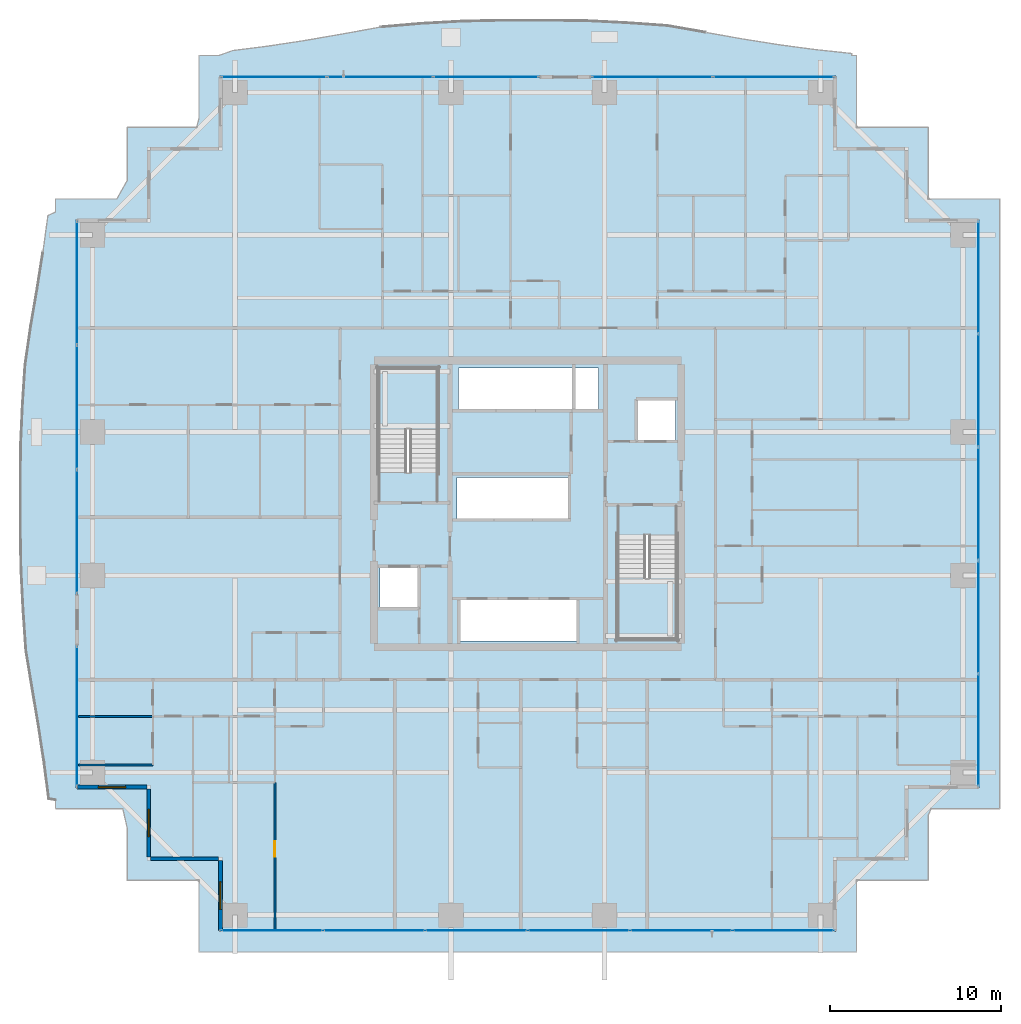
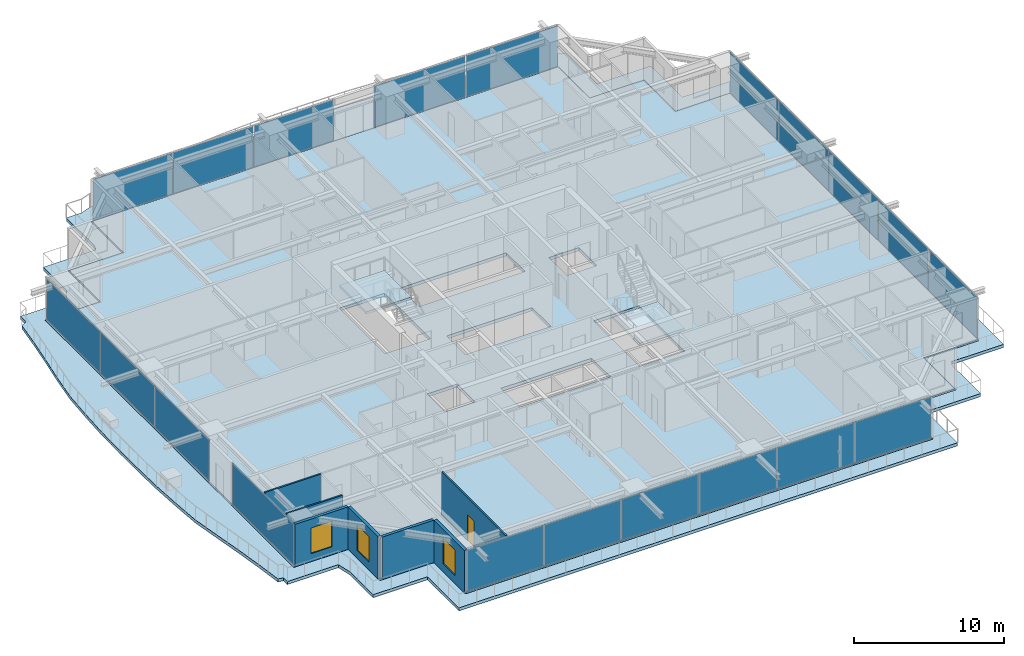
# One storey, part 22 of 36: 20 plates, 7 walls, 4 slabs, 3 windows, 1 door, 4 openings, 8 elements without a shape of their own.
"""IFC4 building model written with IfcOpenShell, lengths in metres."""

import ifcopenshell
import ifcopenshell.guid

model = None  # the IFC model being written
_history = None  # IfcOwnerHistory: only IFC2X3 demands one
_inside = {}  # id of a spatial element -> (the spatial element, [elements in it])
_under = {}  # id of a project, library or spatial element -> (it, [spatial elements below it])
_declared = {}  # id of a project -> (the project, [libraries it declares])
_typed = {}  # id of a type object -> (the type object, [elements of that type])
_made_of = {}  # id of a material, layer set ... -> (it, [elements and type objects made of it])


def new_model(schema):
    """Start an empty IFC model of exactly this schema.

    Asked for "IFC4X3", IfcOpenShell would pick the latest addendum, in which some entities
    have other attributes; the version numbers below select the first issue.
    IFC2X3 requires an IfcOwnerHistory on every rooted entity: one is made here for all.
    """
    global model, _history
    if schema == "IFC4X3":
        model = ifcopenshell.file(schema_version=(4, 3, 0, 0))
    else:
        model = ifcopenshell.file(schema=schema)
    _inside.clear()
    _under.clear()
    _declared.clear()
    _typed.clear()
    _made_of.clear()
    _history = None
    if model.schema == "IFC2X3":
        org = make("IfcOrganization", Name="unknown")
        user = make(
            "IfcPersonAndOrganization",
            ThePerson=make("IfcPerson", FamilyName="unknown"),
            TheOrganization=org,
        )
        app = make(
            "IfcApplication",
            ApplicationDeveloper=org,
            Version="unknown",
            ApplicationFullName="unknown",
            ApplicationIdentifier="unknown",
        )
        _history = make(
            "IfcOwnerHistory",
            OwningUser=user,
            OwningApplication=app,
            ChangeAction="ADDED",
            CreationDate=0,
        )
    return model


def make(cls, **values):
    """One entity of the class cls with the attributes given. An attribute that is None is left unset."""
    return model.create_entity(
        cls, **{name: value for name, value in values.items() if value is not None}
    )


def rooted(cls, **values):
    """An entity with a GlobalId (a new one), such as an element, a storey or a relation."""
    return make(cls, GlobalId=ifcopenshell.guid.new(), OwnerHistory=_history, **values)


def si_unit(unit_type, name, prefix=None):
    """IfcSIUnit, for example si_unit("LENGTHUNIT", "METRE", prefix="MILLI")."""
    return make("IfcSIUnit", UnitType=unit_type, Prefix=prefix, Name=name)


def assignment(units):
    """IfcUnitAssignment: the units of a project."""
    return None if units is None else make("IfcUnitAssignment", Units=units)


def point(xyz):
    """IfcCartesianPoint."""
    return None if xyz is None else make("IfcCartesianPoint", Coordinates=xyz)


def direction(xyz):
    """IfcDirection."""
    return None if xyz is None else make("IfcDirection", DirectionRatios=xyz)


def frame(location, z_axis=None, x_axis=None):
    """IfcAxis2Placement3D, a coordinate frame: its origin and axes. An axis left out is left unset."""
    return make(
        "IfcAxis2Placement3D",
        Location=point(location),
        Axis=direction(z_axis),
        RefDirection=direction(x_axis),
    )


def frame_2d(location, x_axis=None):
    """IfcAxis2Placement2D, a coordinate frame in the plane: its origin and x axis."""
    return make(
        "IfcAxis2Placement2D", Location=point(location), RefDirection=direction(x_axis)
    )


def origin():
    """The frame at (0, 0, 0) with its axes left unset."""
    return frame((0.0, 0.0, 0.0))


def origin_2d():
    """The frame at (0, 0) in the plane with its x axis left unset."""
    return frame_2d((0.0, 0.0))


def place(relative_to, where):
    """IfcLocalPlacement: puts the frame where relative to a parent placement (None: the world)."""
    return make(
        "IfcLocalPlacement", PlacementRelTo=relative_to, RelativePlacement=where
    )


def context(
    kind, dimensions, precision=None, world=None, true_north=None, identifier=None
):
    """IfcGeometricRepresentationContext, for example the 3D "Model" context."""
    return make(
        "IfcGeometricRepresentationContext",
        ContextIdentifier=identifier,
        ContextType=kind,
        CoordinateSpaceDimension=dimensions,
        Precision=precision,
        WorldCoordinateSystem=world,
        TrueNorth=true_north,
    )


def subcontext(parent, identifier, kind, view, scale=None):
    """IfcGeometricRepresentationSubContext, for example "Body" below "Model"."""
    return make(
        "IfcGeometricRepresentationSubContext",
        ContextIdentifier=identifier,
        ContextType=kind,
        ParentContext=parent,
        TargetScale=scale,
        TargetView=view,
    )


def project(units=None, contexts=None):
    """IfcProject with its units and contexts."""
    return rooted(
        "IfcProject",
        Name="project",
        RepresentationContexts=contexts,
        UnitsInContext=assignment(units),
    )


def spatial(cls, under=None, at=None, **own):
    """A site, building, storey or space (cls), placed at a placement, below another one or the project."""
    s = rooted(cls, ObjectPlacement=at, **own)
    if under is not None:
        _under.setdefault(under.id(), (under, []))[1].append(s)
    return s


def polyline(points):
    """IfcPolyline through the points."""
    return make("IfcPolyline", Points=[point(p) for p in points])


def profile(cls, at=None, kind="AREA", **sizes):
    """A parametric profile (cls). Its sizes go by their IFC names, for example OverallWidth=200.0."""
    return make(cls, ProfileType=kind, Position=at, **sizes)


def rectangle(**sizes):
    """IfcRectangleProfileDef."""
    return profile("IfcRectangleProfileDef", **sizes)


def outline(outer, holes=None, kind="AREA"):
    """IfcArbitraryClosedProfileDef: a profile drawn as a closed curve; with holes, ...WithVoids."""
    if holes is None:
        return make("IfcArbitraryClosedProfileDef", ProfileType=kind, OuterCurve=outer)
    return make(
        "IfcArbitraryProfileDefWithVoids",
        ProfileType=kind,
        OuterCurve=outer,
        InnerCurves=holes,
    )


def extrude(swept, where, along, depth):
    """IfcExtrudedAreaSolid: the profile swept, set in the frame where, extruded along a direction by depth."""
    return make(
        "IfcExtrudedAreaSolid",
        SweptArea=swept,
        Position=where,
        ExtrudedDirection=direction(along),
        Depth=depth,
    )


def shape(context_of_items, identifier, shape_type, items):
    """IfcShapeRepresentation: the items that make up one representation, for example the "Body"."""
    return make(
        "IfcShapeRepresentation",
        ContextOfItems=context_of_items,
        RepresentationIdentifier=identifier,
        RepresentationType=shape_type,
        Items=items,
    )


def source(mapping_origin, context_of_items, identifier, shape_type, items):
    """IfcRepresentationMap: a shape defined once, which mapped items show again and again."""
    return make(
        "IfcRepresentationMap",
        MappingOrigin=mapping_origin,
        MappedRepresentation=shape(context_of_items, identifier, shape_type, items),
    )


def transform(
    local_origin,
    x_axis=None,
    y_axis=None,
    z_axis=None,
    scale=None,
    scale2=None,
    scale3=None,
    uniform=True,
):
    """IfcCartesianTransformationOperator3D, or its non-uniform kind. x_axis, y_axis, z_axis: its Axis1, 2, 3."""
    if uniform:
        return make(
            "IfcCartesianTransformationOperator3D",
            Axis1=direction(x_axis),
            Axis2=direction(y_axis),
            LocalOrigin=point(local_origin),
            Scale=scale,
            Axis3=direction(z_axis),
        )
    return make(
        "IfcCartesianTransformationOperator3DnonUniform",
        Axis1=direction(x_axis),
        Axis2=direction(y_axis),
        LocalOrigin=point(local_origin),
        Scale=scale,
        Axis3=direction(z_axis),
        Scale2=scale2,
        Scale3=scale3,
    )


def mapped(mapping_source, mapping_target):
    """IfcMappedItem: shows the shape of a source again, moved by a transform."""
    return make(
        "IfcMappedItem", MappingSource=mapping_source, MappingTarget=mapping_target
    )


def material(Name=None, Category=None):
    """IfcMaterial."""
    return make("IfcMaterial", Name=Name, Category=Category)


def layer(
    of_material, thickness, ventilated=None, Name=None, Category=None, Priority=None
):
    """IfcMaterialLayer: one layer of a wall or slab, of a material (None: an air gap)."""
    return make(
        "IfcMaterialLayer",
        Material=of_material,
        LayerThickness=thickness,
        IsVentilated=ventilated,
        Name=Name,
        Category=Category,
        Priority=Priority,
    )


def layer_set(layers, Name=None):
    """IfcMaterialLayerSet."""
    return make("IfcMaterialLayerSet", MaterialLayers=layers, LayerSetName=Name)


def made_of(thing, what):
    """Note that an element or type object is made of a material, layer set ...; save() writes the relation."""
    if what is not None:
        _made_of.setdefault(what.id(), (what, []))[1].append(thing)
    return thing


def type_object(cls, material=None, **own):
    """A type object (cls), such as IfcWallType, which elements share."""
    return made_of(rooted(cls, **own), material)


def element(
    cls,
    number,
    at=None,
    inside=None,
    cuts=None,
    type_object=None,
    material=None,
    context=None,
    identifier="Body",
    shape_type=None,
    held_by="IfcProductDefinitionShape",
    body=None,
    shapes=None,
    **own,
):
    """One element of the class cls, such as IfcWall. Its Tag is "e" and its number.

    at: its placement. inside: the storey or other place that contains it. cuts: it is an
    opening in that element (IfcRelVoidsElement). A single representation is given by context,
    identifier, shape_type and body (its items); several are given by shapes. held_by: the class
    of the entity that holds the representations. save() writes the other relations.
    """
    e = rooted(cls, Tag="e%d" % number, ObjectPlacement=at, **own)
    if body is not None:
        shapes = [shape(context, identifier, shape_type, body)]
    if shapes is not None:
        e.Representation = make(held_by, Representations=shapes)
    if inside is not None:
        _inside.setdefault(inside.id(), (inside, []))[1].append(e)
    if cuts is not None:
        rooted(
            "IfcRelVoidsElement", RelatingBuildingElement=cuts, RelatedOpeningElement=e
        )
    if type_object is not None:
        _typed.setdefault(type_object.id(), (type_object, []))[1].append(e)
    return made_of(e, material)


def fill(opening, filler):
    """IfcRelFillsElement: the door or window that sits in an opening."""
    return rooted(
        "IfcRelFillsElement",
        RelatingOpeningElement=opening,
        RelatedBuildingElement=filler,
    )


def aggregate(whole, parts):
    """IfcRelAggregates: a whole, such as a stair, and the parts it consists of."""
    return rooted("IfcRelAggregates", RelatingObject=whole, RelatedObjects=parts)


def save(model, path):
    """Write the relations noted so far, then the file.

    IfcRelAggregates (storeys below a building ...), IfcRelContainedInSpatialStructure (elements
    in a storey), IfcRelDefinesByType, IfcRelAssociatesMaterial and IfcRelDeclares: one each for
    every whole, place, type object, material and project.
    """
    for whole, parts in _under.values():
        aggregate(whole, parts)
    for where, things in _inside.values():
        rooted(
            "IfcRelContainedInSpatialStructure",
            RelatedElements=things,
            RelatingStructure=where,
        )
    for kind, things in _typed.values():
        rooted("IfcRelDefinesByType", RelatedObjects=things, RelatingType=kind)
    for what, things in _made_of.values():
        rooted("IfcRelAssociatesMaterial", RelatedObjects=things, RelatingMaterial=what)
    for by, libraries in _declared.values():
        rooted("IfcRelDeclares", RelatingContext=by, RelatedDefinitions=libraries)
    model.write(path)


model = new_model("IFC4")

# Units and contexts
model_context = context("Model", 3, precision=1e-05, world=origin(), true_north=direction((0.0, 1.0)))
body_context = subcontext(model_context, "Body", "Model", "MODEL_VIEW")
ifc_project = project(units=[si_unit("LENGTHUNIT", "METRE"), si_unit("AREAUNIT", "SQUARE_METRE"), si_unit("VOLUMEUNIT", "CUBIC_METRE"), si_unit("PLANEANGLEUNIT", "RADIAN"), si_unit("MASSUNIT", "GRAM", prefix="KILO")], contexts=[model_context])

# Site, building, storey
site_placement = place(None, origin())
site = spatial("IfcSite", under=ifc_project, at=site_placement, CompositionType="ELEMENT")
building_placement = place(site_placement, origin())
building = spatial("IfcBuilding", under=site, at=building_placement, Name="Serunith Strait Residences", CompositionType="ELEMENT")
storey_placement = place(building_placement, frame((0.0, 0.0, 86.699951171875)))
storey = spatial("IfcBuildingStorey", under=building, at=storey_placement, Name="L21", CompositionType="ELEMENT", Elevation=86.699951171875)

# Slab
ifc_material_1 = material(Name="Concrete C50/60", Category="concrete")
ifc_layer_1 = layer(ifc_material_1, 0.239990234375, Name="Concrete C50/60")
ifc_layer_set_1 = layer_set([ifc_layer_1], Name="Concrete C50/60")
slab_type_1 = type_object("IfcSlabType", Name="SLB-BALC-240", PredefinedType="FLOOR", material=ifc_layer_set_1)
slab_1_placement = place(storey_placement, frame((0.0, 0.0, -0.2900390625)))
element("IfcSlab", 1, at=slab_1_placement, inside=storey, type_object=slab_type_1, Name="L21 Planted Vertical-Forest Balcony Slab", PredefinedType="FLOOR", context=body_context, shape_type="SweptSolid", body=[
    extrude(outline(polyline([(4.739990234375, 7.8505859375), (4.345703125, 7.9140625), (4.0703125, 10.04248046875), (3.7431640625, 12.192138671875), (3.375, 14.379638671875), (3.006591796875, 16.626953125), (2.8447265625, 18.977294921875), (2.723388671875, 21.359375), (2.679931640625, 23.763427734375), (2.679931640625, 26.1767578125), (2.697021484375, 28.584716796875), (2.8046875, 30.973388671875), (2.95703125, 33.33203125), (3.2861328125, 35.60302734375), (3.662109375, 37.800048828125), (4.001220703125, 39.955078125), (4.289794921875, 42.085693359375), (4.739990234375, 42.291259765625), (4.739990234375, 43.06005859375), (8.32763671875, 43.06005859375), (8.93994140625, 44.131103515625), (8.93994140625, 47.260009765625), (13.003662109375, 47.260009765625), (13.139892578125, 47.772705078125), (13.139892578125, 51.4599609375), (14.30224609375, 51.4599609375), (15.122802734375, 51.753173828125), (17.24560546875, 52.021728515625), (19.386474609375, 52.34912109375), (21.563232421875, 52.7275390625), (23.796630859375, 53.1328125), (26.14501953125, 53.333740234375), (28.53662109375, 53.4677734375), (30.954345703125, 53.52001953125), (33.383056640625, 53.52001953125), (35.804931640625, 53.49658203125), (38.20458984375, 53.377197265625), (40.569580078125, 53.209716796875), (42.821533203125, 52.81884765625), (45.007568359375, 52.430419921875), (47.1533203125, 52.089111328125), (49.27734375, 51.806396484375), (51.394287109375, 51.581298828125), (51.393310546875, 51.4599609375), (51.659912109375, 51.4599609375), (51.659912109375, 47.260009765625), (55.860107421875, 47.260009765625), (55.860107421875, 43.06005859375), (60.06005859375, 43.06005859375), (60.06005859375, 7.340087890625), (56.041259765625, 7.340087890625), (55.860107421875, 6.9423828125), (55.860107421875, 3.139892578125), (51.659912109375, 3.139892578125), (51.659912109375, -1.06005859375), (13.139892578125, -1.06005859375), (13.139892578125, 3.139892578125), (8.93994140625, 3.139892578125), (8.93994140625, 6.194580078125), (8.6787109375, 7.340087890625), (4.739990234375, 7.340087890625), (4.739990234375, 7.8505859375)]), holes=[polyline([(50.455078125, 0.14501953125), (50.455078125, 4.344970703125), (54.655029296875, 4.344970703125), (54.655029296875, 8.544921875), (58.85498046875, 8.544921875), (58.85498046875, 41.85498046875), (54.655029296875, 41.85498046875), (54.655029296875, 46.054931640625), (50.455078125, 46.054931640625), (50.455078125, 50.2548828125), (14.344970703125, 50.2548828125), (14.344970703125, 46.054931640625), (10.14501953125, 46.054931640625), (10.14501953125, 41.85498046875), (5.945068359375, 41.85498046875), (5.945068359375, 8.544921875), (10.14501953125, 8.544921875), (10.14501953125, 4.344970703125), (14.344970703125, 4.344970703125), (14.344970703125, 0.14501953125), (50.455078125, 0.14501953125)])]), origin(), (0.0, 0.0, 1.0), 0.239990234375),
])

# Stair, slab
stair_type_1 = type_object("IfcStairType", Name="STR-CORE-1", PredefinedType="HALF_TURN_STAIR", material=ifc_material_1)
stair_1_placement = place(storey_placement, origin())
stair_1 = element("IfcStair", 2, at=stair_1_placement, inside=storey, type_object=stair_type_1, Name="L21 Protected Escape Stair ST-1", PredefinedType="HALF_TURN_STAIR")
ifc_layer_2 = layer(ifc_material_1, 0.199951171875, Name="Concrete C50/60")
ifc_layer_set_2 = layer_set([ifc_layer_2], Name="Concrete C50/60")
slab_type_2 = type_object("IfcSlabType", Name="SLB-LAND-200", PredefinedType="LANDING", material=ifc_layer_set_2)
slab_2_placement = place(storey_placement, frame((0.0, 0.0, 1.675048828125)))
slab_2 = element("IfcSlab", 3, at=slab_2_placement, type_object=slab_type_2, Name="ST-1 landing 1", PredefinedType="LANDING", context=body_context, shape_type="SweptSolid", body=[
    extrude(outline(polyline([(27.14990234375, 29.550048828125), (27.14990234375, 33.14990234375), (23.64990234375, 33.14990234375), (23.64990234375, 29.550048828125), (27.14990234375, 29.550048828125)])), origin(), (0.0, 0.0, 1.0), 0.199951171875),
])
aggregate(stair_1, [slab_2])

stair_type_2 = type_object("IfcStairType", Name="STR-CORE-2", PredefinedType="HALF_TURN_STAIR", material=ifc_material_1)
stair_2_placement = place(storey_placement, origin())
stair_2 = element("IfcStair", 4, at=stair_2_placement, inside=storey, type_object=stair_type_2, Name="L21 Protected Escape Stair ST-2", PredefinedType="HALF_TURN_STAIR")
slab_3_placement = place(storey_placement, frame((0.0, 0.0, 1.675048828125)))
slab_3 = element("IfcSlab", 5, at=slab_3_placement, type_object=slab_type_2, Name="ST-2 landing 1", PredefinedType="LANDING", context=body_context, shape_type="SweptSolid", body=[
    extrude(outline(polyline([(37.64990234375, 20.85009765625), (37.64990234375, 17.25), (41.14990234375, 17.25), (41.14990234375, 20.85009765625), (37.64990234375, 20.85009765625)])), origin(), (0.0, 0.0, 1.0), 0.199951171875),
])
aggregate(stair_2, [slab_3])

# Slab
ifc_material_2 = material(Name="Concrete C60/75", Category="concrete")
ifc_layer_3 = layer(ifc_material_2, 0.260009765625, Name="Concrete C60/75")
ifc_layer_set_3 = layer_set([ifc_layer_3], Name="Concrete C60/75")
slab_type_3 = type_object("IfcSlabType", Name="SLB-TWR-260-Z1", PredefinedType="FLOOR", material=ifc_layer_set_3)
slab_4_placement = place(storey_placement, frame((0.0, 0.0, -0.260009765625)))
element("IfcSlab", 6, at=slab_4_placement, inside=storey, type_object=slab_type_3, Name="L21 Structural Floor Plate", PredefinedType="FLOOR", context=body_context, shape_type="SweptSolid", body=[
    extrude(outline(polyline([(14.39990234375, 4.39990234375), (10.199951171875, 4.39990234375), (10.199951171875, 8.60009765625), (6.0, 8.60009765625), (6.0, 41.800048828125), (10.199951171875, 41.800048828125), (10.199951171875, 46.0), (14.39990234375, 46.0), (14.39990234375, 50.199951171875), (50.39990234375, 50.199951171875), (50.39990234375, 46.0), (54.60009765625, 46.0), (54.60009765625, 41.800048828125), (58.800048828125, 41.800048828125), (58.800048828125, 8.60009765625), (54.60009765625, 8.60009765625), (54.60009765625, 4.39990234375), (50.39990234375, 4.39990234375), (50.39990234375, 0.199951171875), (14.39990234375, 0.199951171875), (14.39990234375, 4.39990234375)]), holes=[polyline([(41.14990234375, 17.25), (41.14990234375, 23.3701171875), (37.64990234375, 23.3701171875), (37.64990234375, 17.25), (41.14990234375, 17.25)]), polyline([(41.050048828125, 31.25), (38.75, 31.25), (38.75, 28.85009765625), (41.050048828125, 28.85009765625), (41.050048828125, 31.25)]), polyline([(36.550048828125, 33.14990234375), (28.35009765625, 33.14990234375), (28.35009765625, 30.64990234375), (36.550048828125, 30.64990234375), (36.550048828125, 33.14990234375)]), polyline([(28.35009765625, 19.64990234375), (28.35009765625, 17.14990234375), (35.35009765625, 17.14990234375), (35.35009765625, 19.64990234375), (28.35009765625, 19.64990234375)]), polyline([(34.85009765625, 26.75), (28.25, 26.75), (28.25, 24.25), (34.85009765625, 24.25), (34.85009765625, 26.75)]), polyline([(23.64990234375, 33.14990234375), (23.64990234375, 27.030029296875), (27.14990234375, 27.030029296875), (27.14990234375, 33.14990234375), (23.64990234375, 33.14990234375)]), polyline([(26.050048828125, 21.550048828125), (23.75, 21.550048828125), (23.75, 19.14990234375), (26.050048828125, 19.14990234375), (26.050048828125, 21.550048828125)])]), origin(), (0.0, 0.0, 1.0), 0.260009765625),
])

# Curtain wall, plates
ifc_material_3 = material(Name="Pale-Champagne Anodised Aluminium", Category="aluminium")
ifc_layer_4 = layer(ifc_material_3, 0.199951171875, Name="Pale-Champagne Anodised Aluminium")
ifc_layer_set_4 = layer_set([ifc_layer_4], Name="Pale-Champagne Anodised Aluminium")
curtain_wall_type = type_object("IfcCurtainWallType", Name="CW-SYS1", PredefinedType="NOTDEFINED", material=ifc_layer_set_4)
curtain_wall_1_placement = place(storey_placement, origin())
curtain_wall_1 = element("IfcCurtainWall", 7, at=curtain_wall_1_placement, inside=storey, type_object=curtain_wall_type, Name="L21 S Unitised Fritted Curtain Wall", PredefinedType="NOTDEFINED")
ifc_material_4 = material(Name="Ceramic-Fritted Low-E Double Glazing 28mm", Category="glass")
ifc_layer_5 = layer(ifc_material_4, 0.028076171875, Name="Ceramic-Fritted Low-E Double Glazing 28mm")
ifc_layer_set_5 = layer_set([ifc_layer_5], Name="Ceramic-Fritted Low-E Double Glazing 28mm")
plate_type = type_object("IfcPlateType", Name="CW-SYS1-PNL", PredefinedType="CURTAIN_PANEL", material=ifc_layer_set_5)
shared_shape_1 = source(origin(), body_context, "Body", "SweptSolid", [
    extrude(rectangle(XDim=5.89501953125, YDim=0.028076171875, at=origin_2d()), origin(), (0.0, 0.0, 1.0), 3.35498046875),
])
plate_1_placement = place(storey_placement, frame((17.41748046875, 0.199951171875, 0.06005859375), z_axis=(0.0, 0.0, 1.0), x_axis=(1.0, 0.0, 0.0)))
plate_1 = element("IfcPlate", 8, at=plate_1_placement, type_object=plate_type, Name="CW-1 panel 1.1", PredefinedType="CURTAIN_PANEL", context=body_context, shape_type="MappedRepresentation", body=[
    mapped(shared_shape_1, transform((0.0, 0.0, 0.0), scale=1.0)),
])
plate_2_placement = place(storey_placement, frame((47.382568359375, 0.199951171875, 0.06005859375), z_axis=(0.0, 0.0, 1.0), x_axis=(1.0, 0.0, 0.0)))
plate_2 = element("IfcPlate", 9, at=plate_2_placement, type_object=plate_type, Name="CW-1 panel 6.1", PredefinedType="CURTAIN_PANEL", context=body_context, shape_type="MappedRepresentation", body=[
    mapped(shared_shape_1, transform((0.0, 0.0, 0.0), scale=1.0)),
])
shared_shape_2 = source(origin(), body_context, "Body", "SweptSolid", [
    extrude(rectangle(XDim=5.929931640625, YDim=0.028076171875, at=origin_2d()), origin(), (0.0, 0.0, 1.0), 3.35498046875),
])
plate_3_placement = place(storey_placement, frame((23.39990234375, 0.199951171875, 0.06005859375), z_axis=(0.0, 0.0, 1.0), x_axis=(1.0, 0.0, 0.0)))
plate_3 = element("IfcPlate", 10, at=plate_3_placement, type_object=plate_type, Name="CW-1 panel 2.1", PredefinedType="CURTAIN_PANEL", context=body_context, shape_type="MappedRepresentation", body=[
    mapped(shared_shape_2, transform((0.0, 0.0, 0.0), scale=1.0)),
])
plate_4_placement = place(storey_placement, frame((29.39990234375, 0.199951171875, 0.06005859375), z_axis=(0.0, 0.0, 1.0), x_axis=(1.0, 0.0, 0.0)))
plate_4 = element("IfcPlate", 11, at=plate_4_placement, type_object=plate_type, Name="CW-1 panel 3.1", PredefinedType="CURTAIN_PANEL", context=body_context, shape_type="MappedRepresentation", body=[
    mapped(shared_shape_2, transform((0.0, 0.0, 0.0), scale=1.0)),
])
plate_5_placement = place(storey_placement, frame((35.39990234375, 0.199951171875, 0.06005859375), z_axis=(0.0, 0.0, 1.0), x_axis=(1.0, 0.0, 0.0)))
plate_5 = element("IfcPlate", 12, at=plate_5_placement, type_object=plate_type, Name="CW-1 panel 4.1", PredefinedType="CURTAIN_PANEL", context=body_context, shape_type="MappedRepresentation", body=[
    mapped(shared_shape_2, transform((0.0, 0.0, 0.0), scale=1.0)),
])
plate_6_placement = place(storey_placement, frame((41.39990234375, 0.199951171875, 0.06005859375), z_axis=(0.0, 0.0, 1.0), x_axis=(1.0, 0.0, 0.0)))
plate_6 = element("IfcPlate", 13, at=plate_6_placement, type_object=plate_type, Name="CW-1 panel 5.1", PredefinedType="CURTAIN_PANEL", context=body_context, shape_type="MappedRepresentation", body=[
    mapped(shared_shape_2, transform((0.0, 0.0, 0.0), scale=1.0)),
])
aggregate(curtain_wall_1, [plate_1, plate_3, plate_4, plate_5, plate_6, plate_2])

curtain_wall_2_placement = place(storey_placement, origin())
curtain_wall_2 = element("IfcCurtainWall", 14, at=curtain_wall_2_placement, inside=storey, type_object=curtain_wall_type, Name="L21 E Unitised Fritted Curtain Wall", PredefinedType="NOTDEFINED")
shared_shape_3 = source(origin(), body_context, "Body", "SweptSolid", [
    extrude(rectangle(XDim=6.534912109375, YDim=0.028076171875, at=origin_2d()), origin(), (0.0, 0.0, 1.0), 3.35498046875),
])
plate_7_placement = place(storey_placement, frame((58.800048828125, 11.9375, 0.06005859375), z_axis=(0.0, 0.0, 1.0), x_axis=(0.0, 1.0, 0.0)))
plate_7 = element("IfcPlate", 15, at=plate_7_placement, type_object=plate_type, Name="CW-1 panel 1.1", PredefinedType="CURTAIN_PANEL", context=body_context, shape_type="MappedRepresentation", body=[
    mapped(shared_shape_3, transform((0.0, 0.0, 0.0), scale=1.0)),
])
plate_8_placement = place(storey_placement, frame((58.800048828125, 38.46240234375, 0.06005859375), z_axis=(0.0, 0.0, 1.0), x_axis=(0.0, 1.0, 0.0)))
plate_8 = element("IfcPlate", 16, at=plate_8_placement, type_object=plate_type, Name="CW-1 panel 5.1", PredefinedType="CURTAIN_PANEL", context=body_context, shape_type="MappedRepresentation", body=[
    mapped(shared_shape_3, transform((0.0, 0.0, 0.0), scale=1.0)),
])
shared_shape_4 = source(origin(), body_context, "Body", "SweptSolid", [
    extrude(rectangle(XDim=6.570068359375, YDim=0.028076171875, at=origin_2d()), origin(), (0.0, 0.0, 1.0), 3.35498046875),
])
plate_9_placement = place(storey_placement, frame((58.800048828125, 18.56005859375, 0.06005859375), z_axis=(0.0, 0.0, 1.0), x_axis=(0.0, 1.0, 0.0)))
plate_9 = element("IfcPlate", 17, at=plate_9_placement, type_object=plate_type, Name="CW-1 panel 2.1", PredefinedType="CURTAIN_PANEL", context=body_context, shape_type="MappedRepresentation", body=[
    mapped(shared_shape_4, transform((0.0, 0.0, 0.0), scale=1.0)),
])
plate_10_placement = place(storey_placement, frame((58.800048828125, 25.199951171875, 0.06005859375), z_axis=(0.0, 0.0, 1.0), x_axis=(0.0, 1.0, 0.0)))
plate_10 = element("IfcPlate", 18, at=plate_10_placement, type_object=plate_type, Name="CW-1 panel 3.1", PredefinedType="CURTAIN_PANEL", context=body_context, shape_type="MappedRepresentation", body=[
    mapped(shared_shape_4, transform((0.0, 0.0, 0.0), scale=1.0)),
])
plate_11_placement = place(storey_placement, frame((58.800048828125, 31.840087890625, 0.06005859375), z_axis=(0.0, 0.0, 1.0), x_axis=(0.0, 1.0, 0.0)))
plate_11 = element("IfcPlate", 19, at=plate_11_placement, type_object=plate_type, Name="CW-1 panel 4.1", PredefinedType="CURTAIN_PANEL", context=body_context, shape_type="MappedRepresentation", body=[
    mapped(shared_shape_4, transform((0.0, 0.0, 0.0), scale=1.0)),
])
aggregate(curtain_wall_2, [plate_7, plate_9, plate_10, plate_11, plate_8])

# Curtain wall, plate
curtain_wall_3_placement = place(storey_placement, origin())
curtain_wall_3 = element("IfcCurtainWall", 20, at=curtain_wall_3_placement, inside=storey, type_object=curtain_wall_type, Name="L21 W Unitised Fritted Curtain Wall", PredefinedType="NOTDEFINED")
shared_shape_5 = source(origin(), body_context, "Body", "SweptSolid", [
    extrude(rectangle(XDim=8.159912109375, YDim=0.028076171875, at=origin_2d()), origin(), (0.0, 0.0, 1.0), 3.35498046875),
])
plate_12_placement = place(storey_placement, frame((6.0, 12.75, 0.06005859375), z_axis=(0.0, 0.0, 1.0), x_axis=(0.0, -1.0, 0.0)))
plate_12 = element("IfcPlate", 21, at=plate_12_placement, type_object=plate_type, Name="CW-1 panel 1.1", PredefinedType="CURTAIN_PANEL", context=body_context, shape_type="MappedRepresentation", body=[
    mapped(shared_shape_5, transform((0.0, 0.0, 0.0), scale=1.0)),
])
aggregate(curtain_wall_3, [plate_12])

# Curtain wall, plates
curtain_wall_4_placement = place(storey_placement, origin())
curtain_wall_4 = element("IfcCurtainWall", 22, at=curtain_wall_4_placement, inside=storey, type_object=curtain_wall_type, Name="L21 W Unitised Fritted Curtain Wall", PredefinedType="NOTDEFINED")
shared_shape_6 = source(origin(), body_context, "Body", "SweptSolid", [
    extrude(rectangle(XDim=7.195068359375, YDim=0.028076171875, at=origin_2d()), origin(), (0.0, 0.0, 1.0), 3.35498046875),
])
plate_13_placement = place(storey_placement, frame((6.0, 38.132568359375, 0.06005859375), z_axis=(0.0, 0.0, 1.0), x_axis=(0.0, -1.0, 0.0)))
plate_13 = element("IfcPlate", 23, at=plate_13_placement, type_object=plate_type, Name="CW-1 panel 1.1", PredefinedType="CURTAIN_PANEL", context=body_context, shape_type="MappedRepresentation", body=[
    mapped(shared_shape_6, transform((0.0, 0.0, 0.0), scale=1.0)),
])
plate_14_placement = place(storey_placement, frame((6.0, 23.5673828125, 0.06005859375), z_axis=(0.0, 0.0, 1.0), x_axis=(0.0, -1.0, 0.0)))
plate_14 = element("IfcPlate", 24, at=plate_14_placement, type_object=plate_type, Name="CW-1 panel 3.1", PredefinedType="CURTAIN_PANEL", context=body_context, shape_type="MappedRepresentation", body=[
    mapped(shared_shape_6, transform((0.0, 0.0, 0.0), scale=1.0)),
])
shared_shape_7 = source(origin(), body_context, "Body", "SweptSolid", [
    extrude(rectangle(XDim=7.22998046875, YDim=0.028076171875, at=origin_2d()), origin(), (0.0, 0.0, 1.0), 3.35498046875),
])
plate_15_placement = place(storey_placement, frame((6.0, 30.85009765625, 0.06005859375), z_axis=(0.0, 0.0, 1.0), x_axis=(0.0, -1.0, 0.0)))
plate_15 = element("IfcPlate", 25, at=plate_15_placement, type_object=plate_type, Name="CW-1 panel 2.1", PredefinedType="CURTAIN_PANEL", context=body_context, shape_type="MappedRepresentation", body=[
    mapped(shared_shape_7, transform((0.0, 0.0, 0.0), scale=1.0)),
])
aggregate(curtain_wall_4, [plate_13, plate_15, plate_14])

curtain_wall_5_placement = place(storey_placement, origin())
curtain_wall_5 = element("IfcCurtainWall", 26, at=curtain_wall_5_placement, inside=storey, type_object=curtain_wall_type, Name="L21 N Unitised Fritted Curtain Wall", PredefinedType="NOTDEFINED")
shared_shape_8 = source(origin(), body_context, "Body", "SweptSolid", [
    extrude(rectangle(XDim=7.044921875, YDim=0.028076171875, at=origin_2d()), origin(), (0.0, 0.0, 1.0), 3.35498046875),
])
plate_16_placement = place(storey_placement, frame((46.8076171875, 50.199951171875, 0.06005859375), z_axis=(0.0, 0.0, 1.0), x_axis=(-1.0, 0.0, 0.0)))
plate_16 = element("IfcPlate", 27, at=plate_16_placement, type_object=plate_type, Name="CW-1 panel 1.1", PredefinedType="CURTAIN_PANEL", context=body_context, shape_type="MappedRepresentation", body=[
    mapped(shared_shape_8, transform((0.0, 0.0, 0.0), scale=1.0)),
])
plate_17_placement = place(storey_placement, frame((39.6923828125, 50.199951171875, 0.06005859375), z_axis=(0.0, 0.0, 1.0), x_axis=(-1.0, 0.0, 0.0)))
plate_17 = element("IfcPlate", 28, at=plate_17_placement, type_object=plate_type, Name="CW-1 panel 2.1", PredefinedType="CURTAIN_PANEL", context=body_context, shape_type="MappedRepresentation", body=[
    mapped(shared_shape_8, transform((0.0, 0.0, 0.0), scale=1.0)),
])
aggregate(curtain_wall_5, [plate_16, plate_17])

curtain_wall_6_placement = place(storey_placement, origin())
curtain_wall_6 = element("IfcCurtainWall", 29, at=curtain_wall_6_placement, inside=storey, type_object=curtain_wall_type, Name="L21 N Unitised Fritted Curtain Wall", PredefinedType="NOTDEFINED")
shared_shape_9 = source(origin(), body_context, "Body", "SweptSolid", [
    extrude(rectangle(XDim=6.12841796875, YDim=0.028076171875, at=origin_2d()), origin(), (0.0, 0.0, 1.0), 3.35498046875),
])
plate_18_placement = place(storey_placement, frame((29.9658203125, 50.199951171875, 0.06005859375), z_axis=(0.0, 0.0, 1.0), x_axis=(-1.0, 0.0, 0.0)))
plate_18 = element("IfcPlate", 30, at=plate_18_placement, type_object=plate_type, Name="CW-1 panel 1.1", PredefinedType="CURTAIN_PANEL", context=body_context, shape_type="MappedRepresentation", body=[
    mapped(shared_shape_9, transform((0.0, 0.0, 0.0), scale=1.0)),
])
plate_19_placement = place(storey_placement, frame((17.5341796875, 50.199951171875, 0.06005859375), z_axis=(0.0, 0.0, 1.0), x_axis=(-1.0, 0.0, 0.0)))
plate_19 = element("IfcPlate", 31, at=plate_19_placement, type_object=plate_type, Name="CW-1 panel 3.1", PredefinedType="CURTAIN_PANEL", context=body_context, shape_type="MappedRepresentation", body=[
    mapped(shared_shape_9, transform((0.0, 0.0, 0.0), scale=1.0)),
])
shared_shape_10 = source(origin(), body_context, "Body", "SweptSolid", [
    extrude(rectangle(XDim=6.163330078125, YDim=0.028076171875, at=origin_2d()), origin(), (0.0, 0.0, 1.0), 3.35498046875),
])
plate_20_placement = place(storey_placement, frame((23.75, 50.199951171875, 0.06005859375), z_axis=(0.0, 0.0, 1.0), x_axis=(-1.0, 0.0, 0.0)))
plate_20 = element("IfcPlate", 32, at=plate_20_placement, type_object=plate_type, Name="CW-1 panel 2.1", PredefinedType="CURTAIN_PANEL", context=body_context, shape_type="MappedRepresentation", body=[
    mapped(shared_shape_10, transform((0.0, 0.0, 0.0), scale=1.0)),
])
aggregate(curtain_wall_6, [plate_18, plate_20, plate_19])

# Wall, opening, window
ifc_material_5 = material(Name="Pale-Champagne Aluminium Insulated Panel", Category="aluminium")
ifc_layer_6 = layer(ifc_material_5, 0.219970703125, Name="Pale-Champagne Aluminium Insulated Panel")
ifc_layer_set_6 = layer_set([ifc_layer_6], Name="Pale-Champagne Aluminium Insulated Panel")
wall_type_1 = type_object("IfcWallType", Name="EW-ALUM-220", PredefinedType="ELEMENTEDWALL", material=ifc_layer_set_6)
wall_1_placement = place(storey_placement, frame((6.0, 8.60009765625, 0.0), z_axis=(0.0, 0.0, 1.0), x_axis=(1.0, 0.0, 0.0)))
wall_1 = element("IfcWall", 33, at=wall_1_placement, inside=storey, type_object=wall_type_1, Name="L21 Girih Serrated Corner Wall 17", PredefinedType="ELEMENTEDWALL", context=body_context, shape_type="SweptSolid", body=[
    extrude(rectangle(XDim=4.090087890625, YDim=0.219970703125, at=frame_2d((2.044921875, 0.0))), origin(), (0.0, 0.0, 1.0), 3.47509765625),
])
opening_1_placement = place(wall_1_placement, frame((1.2451171875, 0.0, 0.64990234375)))
opening_1 = element("IfcOpeningElement", 34, at=opening_1_placement, cuts=wall_1, Name="Opening W-02", PredefinedType="OPENING", context=body_context, shape_type="SweptSolid", body=[
    extrude(rectangle(XDim=1.60009765625, YDim=2.10009765625, at=frame_2d((0.800048828125, 1.050048828125))), frame((0.0, 0.1201171875, 0.0), z_axis=(0.0, -1.0, 0.0), x_axis=(1.0, 0.0, 0.0)), (0.0, 0.0, 1.0), 0.239990234375),
])
ifc_material_6 = material(Name="Ceramic-Fritted Operable Aluminium Window Glass", Category="aluminium")
window_type = type_object("IfcWindowType", Name="WIN-C2", PartitioningType="DOUBLE_PANEL_VERTICAL", PredefinedType="WINDOW", material=ifc_material_6)
shared_shape_11 = source(origin(), body_context, "Body", "SweptSolid", [
    extrude(rectangle(XDim=1.60009765625, YDim=2.10009765625, at=frame_2d((0.800048828125, 1.050048828125))), frame((0.0, 0.030029296875, 0.0), z_axis=(0.0, -1.0, 0.0), x_axis=(1.0, 0.0, 0.0)), (0.0, 0.0, 1.0), 0.06005859375),
])
window_1_placement = place(opening_1_placement, origin())
window_1 = element("IfcWindow", 35, at=window_1_placement, inside=storey, type_object=window_type, Name="L21 Corner Operable Fritted Window 17", OverallHeight=2.10009765625, OverallWidth=1.60009765625, PartitioningType="SINGLE_PANEL", PredefinedType="WINDOW", context=body_context, shape_type="MappedRepresentation", body=[
    mapped(shared_shape_11, transform((0.0, 0.0, 0.0), scale=1.0)),
])
fill(opening_1, window_1)

wall_2_placement = place(storey_placement, frame((10.199951171875, 8.489990234375, 0.0), z_axis=(0.0, 0.0, 1.0), x_axis=(0.0, -1.0, 0.0)))
wall_2 = element("IfcWall", 36, at=wall_2_placement, inside=storey, type_object=wall_type_1, Name="L21 Girih Serrated Corner Wall 18", PredefinedType="ELEMENTEDWALL", context=body_context, shape_type="SweptSolid", body=[
    extrude(rectangle(XDim=3.97998046875, YDim=0.219970703125, at=frame_2d((1.989990234375, 0.0))), origin(), (0.0, 0.0, 1.0), 3.47509765625),
])
opening_2_placement = place(wall_2_placement, frame((1.18994140625, 0.0, 0.64990234375)))
opening_2 = element("IfcOpeningElement", 37, at=opening_2_placement, cuts=wall_2, Name="Opening W-02", PredefinedType="OPENING", context=body_context, shape_type="SweptSolid", body=[
    extrude(rectangle(XDim=1.60009765625, YDim=2.10009765625, at=frame_2d((0.800048828125, 1.050048828125))), frame((0.0, 0.1201171875, 0.0), z_axis=(0.0, -1.0, 0.0), x_axis=(1.0, 0.0, 0.0)), (0.0, 0.0, 1.0), 0.239990234375),
])
window_2_placement = place(opening_2_placement, origin())
window_2 = element("IfcWindow", 38, at=window_2_placement, inside=storey, type_object=window_type, Name="L21 Corner Operable Fritted Window 18", OverallHeight=2.10009765625, OverallWidth=1.60009765625, PartitioningType="SINGLE_PANEL", PredefinedType="WINDOW", context=body_context, shape_type="MappedRepresentation", body=[
    mapped(shared_shape_11, transform((0.0, 0.0, 0.0), scale=1.0)),
])
fill(opening_2, window_2)

# Wall
wall_3_placement = place(storey_placement, frame((10.31005859375, 4.39990234375, 0.0), z_axis=(0.0, 0.0, 1.0), x_axis=(1.0, 0.0, 0.0)))
element("IfcWall", 39, at=wall_3_placement, inside=storey, type_object=wall_type_1, Name="L21 Girih Serrated Corner Wall 19", PredefinedType="ELEMENTEDWALL", context=body_context, shape_type="SweptSolid", body=[
    extrude(rectangle(XDim=3.97998046875, YDim=0.219970703125, at=frame_2d((1.989990234375, 0.0))), origin(), (0.0, 0.0, 1.0), 3.47509765625),
])

# Wall, opening, window
wall_4_placement = place(storey_placement, frame((14.39990234375, 4.2900390625, 0.0), z_axis=(0.0, 0.0, 1.0), x_axis=(0.0, -1.0, 0.0)))
wall_4 = element("IfcWall", 40, at=wall_4_placement, inside=storey, type_object=wall_type_1, Name="L21 Girih Serrated Corner Wall 20", PredefinedType="ELEMENTEDWALL", context=body_context, shape_type="SweptSolid", body=[
    extrude(rectangle(XDim=4.090087890625, YDim=0.219970703125, at=frame_2d((2.044921875, 0.0))), origin(), (0.0, 0.0, 1.0), 3.47509765625),
])
opening_3_placement = place(wall_4_placement, frame((1.2451171875, 0.0, 0.64990234375)))
opening_3 = element("IfcOpeningElement", 41, at=opening_3_placement, cuts=wall_4, Name="Opening W-02", PredefinedType="OPENING", context=body_context, shape_type="SweptSolid", body=[
    extrude(rectangle(XDim=1.60009765625, YDim=2.10009765625, at=frame_2d((0.800048828125, 1.050048828125))), frame((0.0, 0.1201171875, 0.0), z_axis=(0.0, -1.0, 0.0), x_axis=(1.0, 0.0, 0.0)), (0.0, 0.0, 1.0), 0.239990234375),
])
window_3_placement = place(opening_3_placement, origin())
window_3 = element("IfcWindow", 42, at=window_3_placement, inside=storey, type_object=window_type, Name="L21 Corner Operable Fritted Window 20", OverallHeight=2.10009765625, OverallWidth=1.60009765625, PartitioningType="SINGLE_PANEL", PredefinedType="WINDOW", context=body_context, shape_type="MappedRepresentation", body=[
    mapped(shared_shape_11, transform((0.0, 0.0, 0.0), scale=1.0)),
])
fill(opening_3, window_3)

# Wall, opening, door
ifc_material_7 = material(Name="Lightweight steel-stud gypsum partition", Category="steel")
ifc_layer_7 = layer(ifc_material_7, 0.1201171875, Name="Lightweight steel-stud gypsum partition")
ifc_layer_set_7 = layer_set([ifc_layer_7], Name="Lightweight steel-stud gypsum partition")
wall_type_2 = type_object("IfcWallType", Name="IW-PART-120", PredefinedType="PARTITIONING", material=ifc_layer_set_7)
wall_5_placement = place(storey_placement, frame((17.590087890625, 0.294921875, 0.0), z_axis=(0.0, 0.0, 1.0), x_axis=(0.0, 1.0, 0.0)))
wall_5 = element("IfcWall", 43, at=wall_5_placement, inside=storey, type_object=wall_type_2, Name="L21 Partition Wall 029", PredefinedType="PARTITIONING", context=body_context, shape_type="SweptSolid", body=[
    extrude(rectangle(XDim=8.586181640625, YDim=0.1201171875, at=frame_2d((4.29296875, 0.0))), origin(), (0.0, 0.0, 1.0), 3.489990234375),
])
opening_4_placement = place(wall_5_placement, frame((4.22705078125, 0.0, 0.0)))
opening_4 = element("IfcOpeningElement", 44, at=opening_4_placement, cuts=wall_5, Name="Opening D-RM900", PredefinedType="OPENING", context=body_context, shape_type="SweptSolid", body=[
    extrude(rectangle(XDim=0.89990234375, YDim=2.10009765625, at=frame_2d((0.449951171875, 1.050048828125))), frame((0.0, 0.070068359375, 0.0), z_axis=(0.0, -1.0, 0.0), x_axis=(1.0, 0.0, 0.0)), (0.0, 0.0, 1.0), 0.14013671875),
])
ifc_material_8 = material(Name="Engineered timber flush bedroom door", Category="wood")
door_type = type_object("IfcDoorType", Name="ID-ROOM-900", OperationType="NOTDEFINED", PredefinedType="DOOR", material=ifc_material_8)
shared_shape_12 = source(origin(), body_context, "Body", "SweptSolid", [
    extrude(rectangle(XDim=0.89990234375, YDim=2.10009765625, at=frame_2d((0.449951171875, 1.050048828125))), frame((0.0, 0.02490234375, 0.0), z_axis=(0.0, -1.0, 0.0), x_axis=(1.0, 0.0, 0.0)), (0.0, 0.0, 1.0), 0.050048828125),
])
door_placement = place(opening_4_placement, origin())
door = element("IfcDoor", 45, at=door_placement, inside=storey, type_object=door_type, Name="L21 Formal Dining Room 1 2101 Door", OperationType="SINGLE_SWING_LEFT", OverallHeight=2.10009765625, OverallWidth=0.89990234375, PredefinedType="DOOR", context=body_context, shape_type="MappedRepresentation", body=[
    mapped(shared_shape_12, transform((0.0, 0.0, 0.0), scale=1.0)),
])
fill(opening_4, door)

# Walls
wall_6_placement = place(storey_placement, frame((6.094970703125, 9.89404296875, 0.0), z_axis=(0.0, 0.0, 1.0), x_axis=(1.0, 0.0, 0.0)))
element("IfcWall", 46, at=wall_6_placement, inside=storey, type_object=wall_type_2, Name="L21 Partition Wall 037", PredefinedType="PARTITIONING", context=body_context, shape_type="SweptSolid", body=[
    extrude(rectangle(XDim=4.344970703125, YDim=0.1201171875, at=frame_2d((2.17236328125, 0.0))), origin(), (0.0, 0.0, 1.0), 3.489990234375),
])
wall_7_placement = place(storey_placement, frame((6.094970703125, 12.75, 0.0), z_axis=(0.0, 0.0, 1.0), x_axis=(1.0, 0.0, 0.0)))
element("IfcWall", 47, at=wall_7_placement, inside=storey, type_object=wall_type_2, Name="L21 Partition Wall 038", PredefinedType="PARTITIONING", context=body_context, shape_type="SweptSolid", body=[
    extrude(rectangle(XDim=4.343017578125, YDim=0.1201171875, at=frame_2d((2.17138671875, 0.0))), origin(), (0.0, 0.0, 1.0), 3.489990234375),
])

save(model, "model.ifc")
